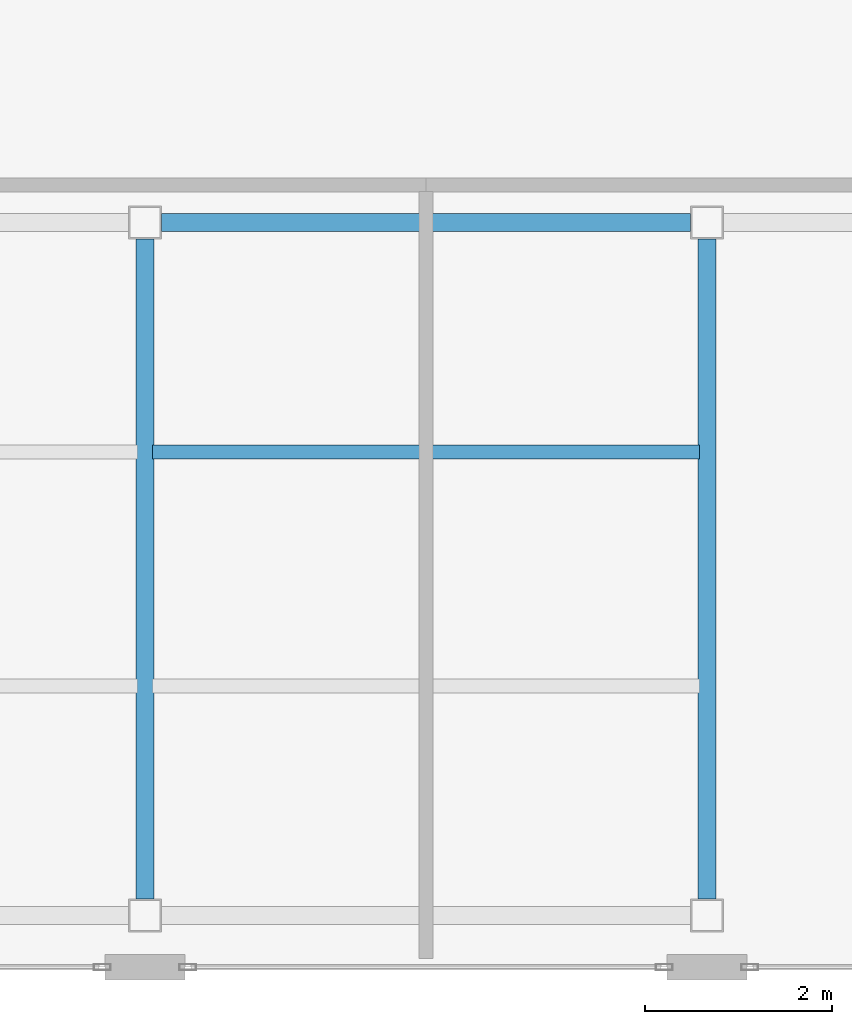
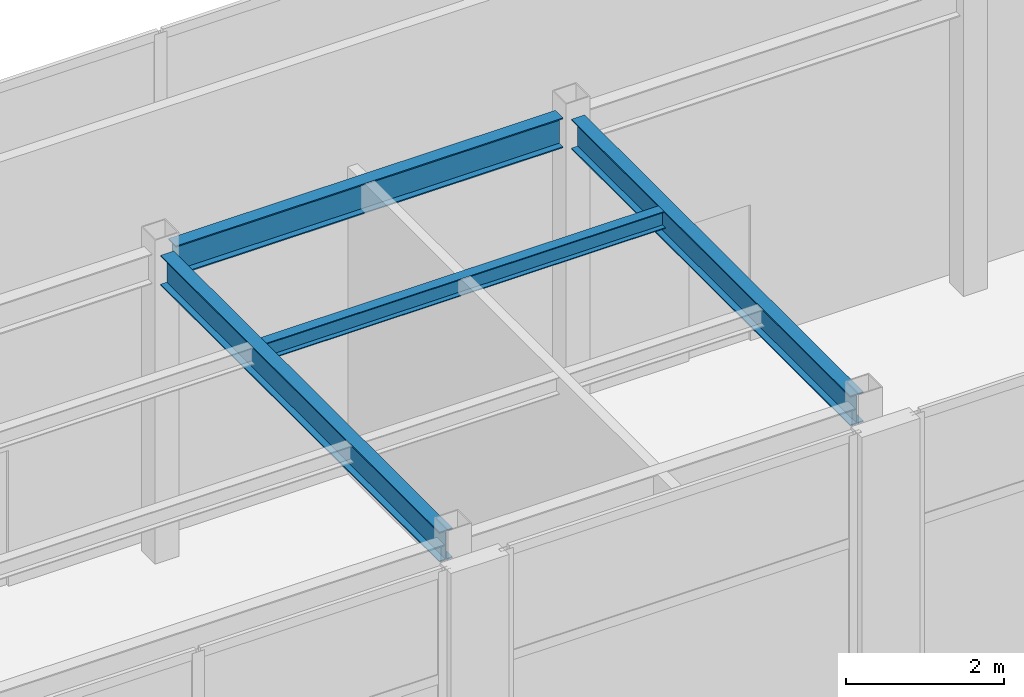
# One storey, part 8 of 18: 4 beams.
"""IFC4 building model written with IfcOpenShell, lengths in metres."""

from ifc_helpers import new_model, si_unit, direction, frame, origin, origin_2d, place, context, subcontext, project, spatial, i_section, extrude, material, material_profile, profile_set, type_object, element, save


model = new_model("IFC4")

# Units and contexts
model_context = context("Model", 3, precision=1e-05, world=origin(), true_north=direction((0.0, 1.0)))
body_context = subcontext(model_context, "Body", "Model", "MODEL_VIEW")
ifc_project = project(units=[si_unit("LENGTHUNIT", "METRE"), si_unit("AREAUNIT", "SQUARE_METRE"), si_unit("VOLUMEUNIT", "CUBIC_METRE"), si_unit("PLANEANGLEUNIT", "RADIAN"), si_unit("MASSUNIT", "GRAM", prefix="KILO")], contexts=[model_context])

# Site, building, storey
site_placement = place(None, origin())
site = spatial("IfcSite", under=ifc_project, at=site_placement, CompositionType="ELEMENT")
building_placement = place(site_placement, origin())
building = spatial("IfcBuilding", under=site, at=building_placement, Name="Mawjaban Terraces University", CompositionType="ELEMENT")
storey_placement = place(building_placement, frame((0.0, 0.0, 316.699951171875)))
storey = spatial("IfcBuildingStorey", under=building, at=storey_placement, Name="L77", CompositionType="ELEMENT", Elevation=316.699951171875)

# Beams
ifc_material = material(Name="Steel ASTM A572 Grade 50", Category="steel")
ifc_material_profile_1 = material_profile(ifc_material, i_section(OverallWidth=0.19189453125, OverallDepth=0.462890625, WebThickness=0.010498046875, FlangeThickness=0.017578125, at=origin_2d()), Name="W460X89")
ifc_profile_set_1 = profile_set([ifc_material_profile_1], Name="Steel ASTM A572 Grade 50")
beam_type_1 = type_object("IfcBeamType", Name="Beam_B_W460X89", PredefinedType="BEAM", material=ifc_profile_set_1)
beam_1_placement = place(storey_placement, frame((46.175048828125, 7.949951171875, 4.509033203125), z_axis=(1.0, 0.0, 0.0), x_axis=(0.0, 1.0, 0.0)))
element("IfcBeam", 1, at=beam_1_placement, inside=storey, type_object=beam_type_1, Name="L77 Beam BM-L77-EW-04", PredefinedType="BEAM", context=body_context, shape_type="SweptSolid", body=[
    extrude(i_section(OverallWidth=0.19189453125, OverallDepth=0.462890625, WebThickness=0.010498046875, FlangeThickness=0.017578125, at=origin_2d()), origin(), (0.0, 0.0, 1.0), 5.64990234375),
])
for number, where, z_axis, x_axis, name in (
    (2, (46.0, 0.72509765625, 4.509033203125), (0.0, 1.0, 0.0), (-1.0, 0.0, 0.0), "L77 Beam BM-L77-NS-02"),
    (3, (52.0, 0.72509765625, 4.509033203125), (0.0, 1.0, 0.0), (-1.0, 0.0, 0.0), "L77 Beam BM-L77-NS-03"),
):
    element("IfcBeam", number, at=place(storey_placement, frame(where, z_axis=z_axis, x_axis=x_axis)), inside=storey, type_object=beam_type_1, Name=name, PredefinedType="BEAM", context=body_context, shape_type="SweptSolid", body=[
        extrude(i_section(OverallWidth=0.19189453125, OverallDepth=0.462890625, WebThickness=0.010498046875, FlangeThickness=0.017578125, at=origin_2d()), origin(), (0.0, 0.0, 1.0), 7.0498046875),
    ])
ifc_material_profile_2 = material_profile(ifc_material, i_section(OverallWidth=0.14794921875, OverallDepth=0.26611328125, WebThickness=0.007568359375, FlangeThickness=0.012939453125, at=origin_2d()), Name="W250X45")
ifc_profile_set_2 = profile_set([ifc_material_profile_2], Name="Steel ASTM A572 Grade 50")
beam_type_2 = type_object("IfcBeamType", Name="Beam_J_W250X45", PredefinedType="JOIST", material=ifc_profile_set_2)
beam_2_placement = place(storey_placement, frame((46.080078125, 5.5, 4.60693359375), z_axis=(1.0, 0.0, 0.0), x_axis=(0.0, 1.0, 0.0)))
element("IfcBeam", 4, at=beam_2_placement, inside=storey, type_object=beam_type_2, Name="L77 Composite Joist JST-L77-04", PredefinedType="JOIST", context=body_context, shape_type="SweptSolid", body=[
    extrude(i_section(OverallWidth=0.14794921875, OverallDepth=0.26611328125, WebThickness=0.007568359375, FlangeThickness=0.012939453125, at=origin_2d()), origin(), (0.0, 0.0, 1.0), 5.83984375),
])

save(model, "model.ifc")
